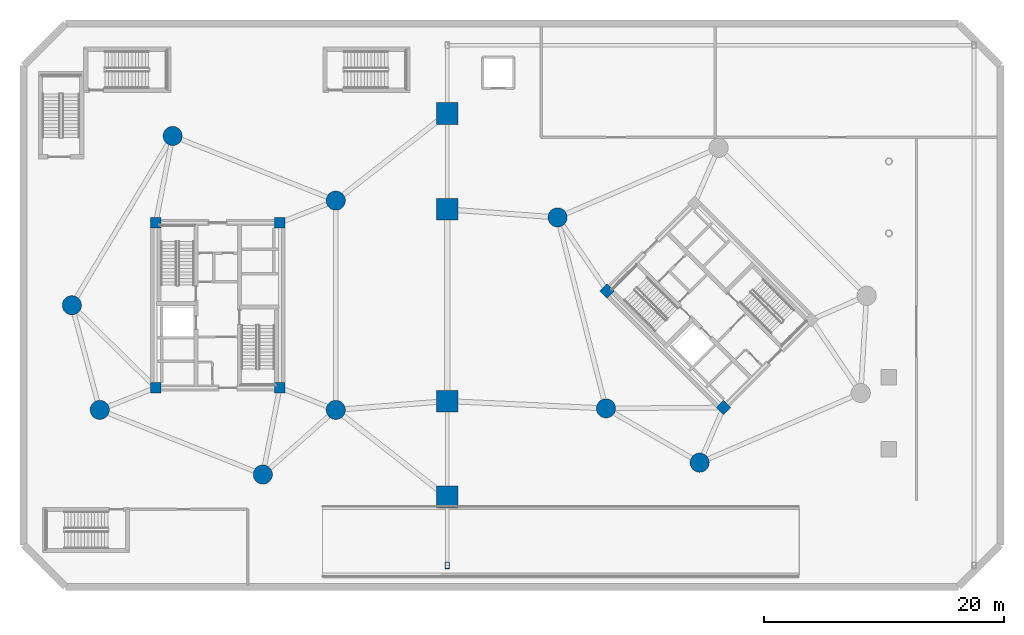
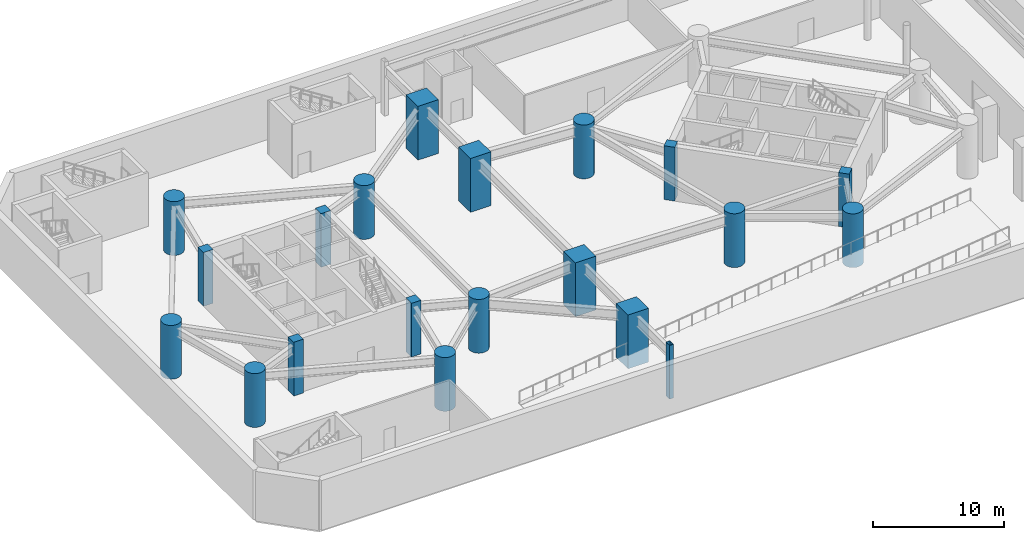
# One storey, part 1 of 14: 20 columns.
"""IFC4 building model written with IfcOpenShell, lengths in metres."""

from ifc_helpers import new_model, si_unit, direction, frame, origin, origin_2d, place, context, subcontext, project, spatial, rectangle, hollow_rectangle, circle, extrude, material, material_profile, profile_set, type_object, element, save


model = new_model("IFC4")

# Units and contexts
model_context = context("Model", 3, precision=1e-05, world=origin(), true_north=direction((0.0, 1.0)))
body_context = subcontext(model_context, "Body", "Model", "MODEL_VIEW")
ifc_project = project(units=[si_unit("LENGTHUNIT", "METRE"), si_unit("AREAUNIT", "SQUARE_METRE"), si_unit("VOLUMEUNIT", "CUBIC_METRE"), si_unit("PLANEANGLEUNIT", "RADIAN"), si_unit("MASSUNIT", "GRAM", prefix="KILO")], contexts=[model_context])

# Site, building, storey
site_placement = place(None, origin())
site = spatial("IfcSite", under=ifc_project, at=site_placement, CompositionType="ELEMENT")
building_placement = place(site_placement, origin())
building = spatial("IfcBuilding", under=site, at=building_placement, Name="Cununo Teusaquillo Station Towers", CompositionType="ELEMENT")
storey_placement = place(building_placement, frame((0.0, 0.0, -5.0)))
storey = spatial("IfcBuildingStorey", under=building, at=storey_placement, Name="B01", CompositionType="ELEMENT", Elevation=-5.0)

# Columns
ifc_material_1 = material(Name="Concrete C50/60", Category="concrete")
ifc_material_profile_1 = material_profile(ifc_material_1, rectangle(XDim=0.85009765625, YDim=0.85009765625, at=origin_2d()), Name="RC-RECT-850x850")
ifc_profile_set_1 = profile_set([ifc_material_profile_1], Name="Concrete C50/60")
column_type_1 = type_object("IfcColumnType", Name="COL-CORE-Z1", PredefinedType="COLUMN", material=ifc_profile_set_1)
for number, where, z_axis, x_axis, name in (
    (1, (11.324951171875, 17.6201171875, 0.0), (0.0, 0.0, 1.0), (1.0, 0.0, 0.0), "B01 Tower A Core Column 1"),
    (2, (11.324951171875, 31.3798828125, 0.0), (0.0, 0.0, 1.0), (1.0, 0.0, 0.0), "B01 Tower A Core Column 2"),
    (3, (21.675048828125, 17.6201171875, 0.0), (0.0, 0.0, 1.0), (1.0, 0.0, 0.0), "B01 Tower A Core Column 3"),
    (4, (21.675048828125, 31.3798828125, 0.0), (0.0, 0.0, 1.0), (1.0, 0.0, 0.0), "B01 Tower A Core Column 4"),
    (5, (58.70556640625, 15.975830078125, 0.0), (0.0, 0.0, 1.0), (0.707106781187, 0.707106781187, 0.0), "B01 Tower B Core Column 1"),
    (6, (48.975830078125, 25.70556640625, 0.0), (0.0, 0.0, 1.0), (0.707106781187, 0.707106781187, 0.0), "B01 Tower B Core Column 2"),
):
    element("IfcColumn", number, at=place(storey_placement, frame(where, z_axis=z_axis, x_axis=x_axis)), inside=storey, type_object=column_type_1, Name=name, PredefinedType="COLUMN", context=body_context, shape_type="SweptSolid", body=[
        extrude(rectangle(XDim=0.85009765625, YDim=0.85009765625, at=origin_2d()), origin(), (0.0, 0.0, 1.0), 5.0),
    ])
ifc_material_2 = material(Name="Concrete C60/75", Category="concrete")
ifc_material_profile_2 = material_profile(ifc_material_2, circle(Radius=0.800048828125, at=origin_2d()), Name="RC-CIRC-1600")
ifc_profile_set_2 = profile_set([ifc_material_profile_2], Name="Concrete C60/75")
column_type_2 = type_object("IfcColumnType", Name="COL-MEGA-POD", PredefinedType="USERDEFINED", material=ifc_profile_set_2)
for number, where, z_axis, x_axis, name in (
    (7, (26.347412109375, 33.228515625, 0.0), (0.0, 0.0, 1.0), (1.0, 0.0, 0.0), "B01 Tower A Perimeter Column V02"),
    (8, (12.738525390625, 38.623291015625, 0.0), (0.0, 0.0, 1.0), (1.0, 0.0, 0.0), "B01 Tower A Perimeter Column V06"),
    (9, (4.327880859375, 24.5, 0.0), (0.0, 0.0, 1.0), (1.0, 0.0, 0.0), "B01 Tower A Perimeter Column V10"),
    (10, (6.652587890625, 15.771484375, 0.0), (0.0, 0.0, 1.0), (1.0, 0.0, 0.0), "B01 Tower A Perimeter Column V12"),
    (11, (20.261474609375, 10.376708984375, 0.0), (0.0, 0.0, 1.0), (1.0, 0.0, 0.0), "B01 Tower A Perimeter Column V16"),
    (12, (26.347412109375, 15.771484375, 0.0), (0.0, 0.0, 1.0), (1.0, 0.0, 0.0), "B01 Tower A Perimeter Column V18"),
    (13, (44.853759765625, 31.826904296875, 0.0), (0.0, 0.0, 1.0), (1.0, 0.0, 0.0), "B01 Tower B Perimeter Column V06"),
    (14, (48.89306640625, 15.89306640625, 0.0), (0.0, 0.0, 1.0), (1.0, 0.0, 0.0), "B01 Tower B Perimeter Column V10"),
    (15, (56.708984375, 11.36474609375, 0.0), (0.0, 0.0, 1.0), (1.0, 0.0, 0.0), "B01 Tower B Perimeter Column V12"),
):
    element("IfcColumn", number, at=place(storey_placement, frame(where, z_axis=z_axis, x_axis=x_axis)), inside=storey, type_object=column_type_2, Name=name, ObjectType="MEGA COLUMN", PredefinedType="USERDEFINED", context=body_context, shape_type="SweptSolid", body=[
        extrude(circle(Radius=0.800048828125, at=origin_2d()), origin(), (0.0, 0.0, 1.0), 5.0),
    ])
ifc_material_3 = material(Name="Steel ASTM A572 Grade 50", Category="steel")
ifc_material_profile_3 = material_profile(ifc_material_3, hollow_rectangle(XDim=0.35009765625, YDim=0.550048828125, WallThickness=0.02197265625, at=origin_2d()), Name="RHS 550x350x22")
ifc_profile_set_3 = profile_set([ifc_material_profile_3], Name="Steel ASTM A572 Grade 50")
column_type_3 = type_object("IfcColumnType", Name="COL-PILASTER", PredefinedType="PILASTER", material=ifc_profile_set_3)
column_placement = place(storey_placement, frame((35.64990234375, 2.800048828125, 0.0), z_axis=(0.0, 0.0, 1.0), x_axis=(1.0, 0.0, 0.0)))
element("IfcColumn", 16, at=column_placement, inside=storey, type_object=column_type_3, Name="B01 Station Hall Pilaster PIL-SW", PredefinedType="PILASTER", context=body_context, shape_type="SweptSolid", body=[
    extrude(hollow_rectangle(XDim=0.35009765625, YDim=0.550048828125, WallThickness=0.02197265625, at=origin_2d()), origin(), (0.0, 0.0, 1.0), 5.0),
])
ifc_material_4 = material(Name="Concrete C60/75", Category="concrete")
ifc_material_profile_4 = material_profile(ifc_material_4, rectangle(XDim=1.800048828125, YDim=1.800048828125, at=origin_2d()), Name="RC-RECT-1800x1800")
ifc_profile_set_4 = profile_set([ifc_material_profile_4], Name="Concrete C60/75")
column_type_4 = type_object("IfcColumnType", Name="COL-POD-MEGA", PredefinedType="USERDEFINED", material=ifc_profile_set_4)
for number, where, z_axis, x_axis, name in (
    (17, (35.64990234375, 8.5, 0.0), (0.0, 0.0, 1.0), (1.0, 0.0, 0.0), "B01 Station Mega-Column PMC-S"),
    (18, (35.64990234375, 16.5, 0.0), (0.0, 0.0, 1.0), (1.0, 0.0, 0.0), "B01 Station Mega-Column PMC-M1"),
    (19, (35.64990234375, 32.5, 0.0), (0.0, 0.0, 1.0), (1.0, 0.0, 0.0), "B01 Station Mega-Column PMC-M2"),
    (20, (35.64990234375, 40.5, 0.0), (0.0, 0.0, 1.0), (1.0, 0.0, 0.0), "B01 Station Mega-Column PMC-N"),
):
    element("IfcColumn", number, at=place(storey_placement, frame(where, z_axis=z_axis, x_axis=x_axis)), inside=storey, type_object=column_type_4, Name=name, ObjectType="MEGA COLUMN", PredefinedType="USERDEFINED", context=body_context, shape_type="SweptSolid", body=[
        extrude(rectangle(XDim=1.800048828125, YDim=1.800048828125, at=origin_2d()), origin(), (0.0, 0.0, 1.0), 5.0),
    ])

save(model, "model.ifc")
